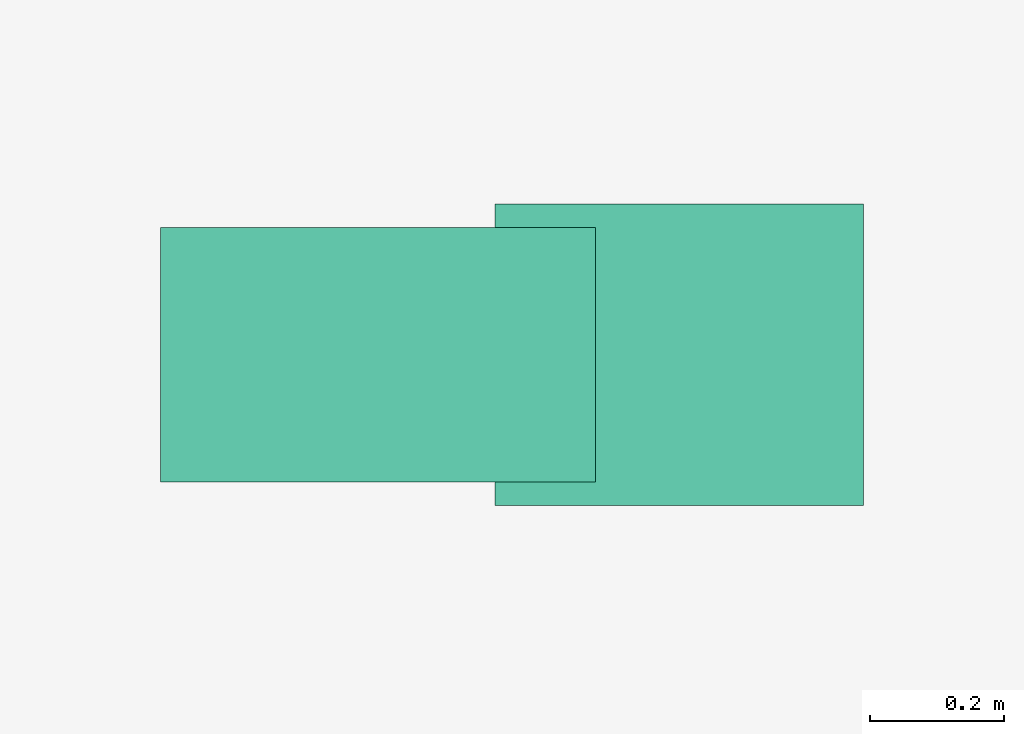
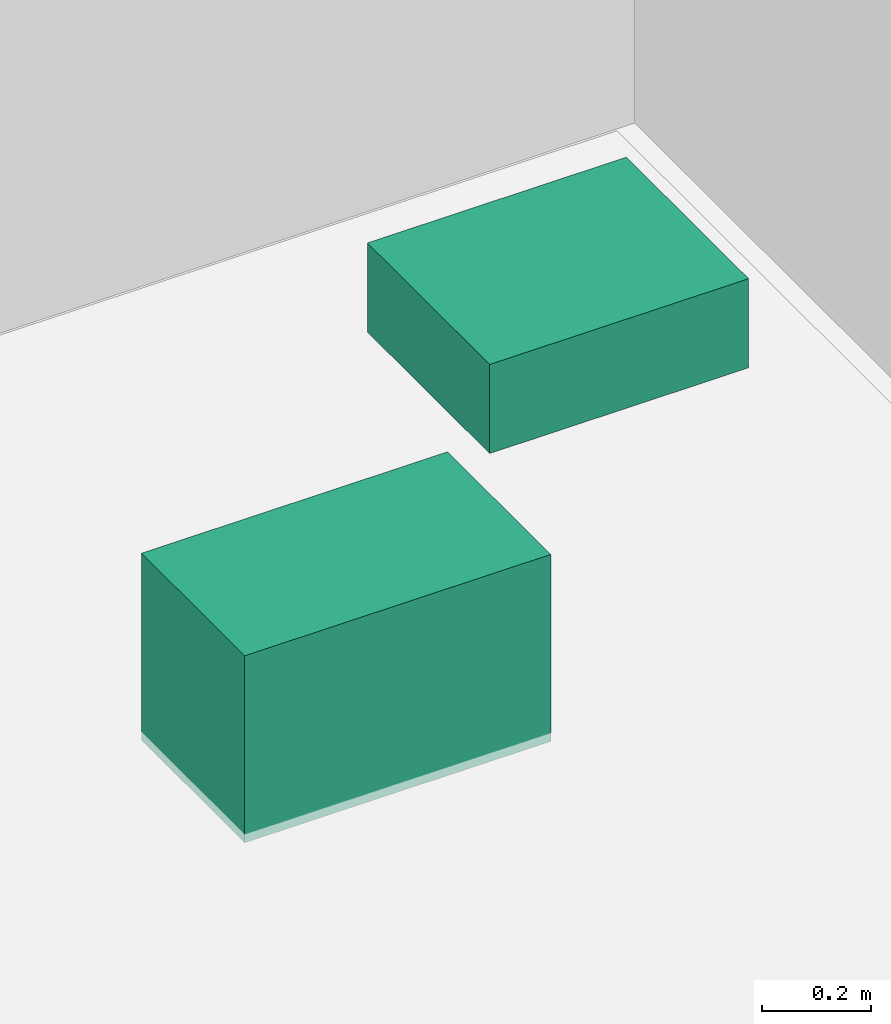
# One storey, part 16 of 16: 2 sanitary terminals.
"""IFC4 building model written with IfcOpenShell, lengths in metres."""

from ifc_helpers import new_model, si_unit, direction, frame, origin, origin_2d, place, context, subcontext, project, spatial, rectangle, extrude, material, type_object, element, save


model = new_model("IFC4")

# Units and contexts
model_context = context("Model", 3, precision=1e-05, world=origin(), true_north=direction((0.0, 1.0)))
body_context = subcontext(model_context, "Body", "Model", "MODEL_VIEW")
ifc_project = project(units=[si_unit("LENGTHUNIT", "METRE"), si_unit("AREAUNIT", "SQUARE_METRE"), si_unit("VOLUMEUNIT", "CUBIC_METRE"), si_unit("PLANEANGLEUNIT", "RADIAN"), si_unit("MASSUNIT", "GRAM", prefix="KILO")], contexts=[model_context])

# Site, building, storey
site_placement = place(None, origin())
site = spatial("IfcSite", under=ifc_project, at=site_placement, CompositionType="ELEMENT")
building_placement = place(site_placement, origin())
building = spatial("IfcBuilding", under=site, at=building_placement, Name="Savorim Split Tower", CompositionType="ELEMENT")
storey_placement = place(building_placement, frame((0.0, 0.0, 73.199951171875)))
storey = spatial("IfcBuildingStorey", under=building, at=storey_placement, Name="L19", CompositionType="ELEMENT", Elevation=73.199951171875)

# Sanitary terminals
ifc_material = material(Name="Vitreous China Sanitaryware")
sanitary_terminal_type_1 = type_object("IfcSanitaryTerminalType", Name="SAN-WC-PAN", PredefinedType="TOILETPAN", material=ifc_material)
sanitary_terminal_1_placement = place(storey_placement, frame((-2.77490234375, -7.60009765625, 0.0), z_axis=(0.0, 0.0, 1.0), x_axis=(1.0, 0.0, 0.0)))
element("IfcSanitaryTerminal", 1, at=sanitary_terminal_1_placement, inside=storey, type_object=sanitary_terminal_type_1, Name="L19 Accessible WC WC Pan", PredefinedType="TOILETPAN", context=body_context, shape_type="SweptSolid", body=[
    extrude(rectangle(XDim=0.64990234375, YDim=0.3798828125, at=origin_2d()), origin(), (0.0, 0.0, 1.0), 0.419921875),
])
sanitary_terminal_type_2 = type_object("IfcSanitaryTerminalType", Name="SAN-WHB-550", PredefinedType="WASHHANDBASIN", material=ifc_material)
sanitary_terminal_2_placement = place(storey_placement, frame((-2.324951171875, -7.60009765625, 0.72021484375), z_axis=(0.0, 0.0, 1.0), x_axis=(1.0, 0.0, 0.0)))
element("IfcSanitaryTerminal", 2, at=sanitary_terminal_2_placement, inside=storey, type_object=sanitary_terminal_type_2, Name="L19 Accessible WC Washhand Basin", PredefinedType="WASHHANDBASIN", context=body_context, shape_type="SweptSolid", body=[
    extrude(rectangle(XDim=0.550048828125, YDim=0.449951171875, at=origin_2d()), origin(), (0.0, 0.0, 1.0), 0.199951171875),
])

save(model, "model.ifc")
